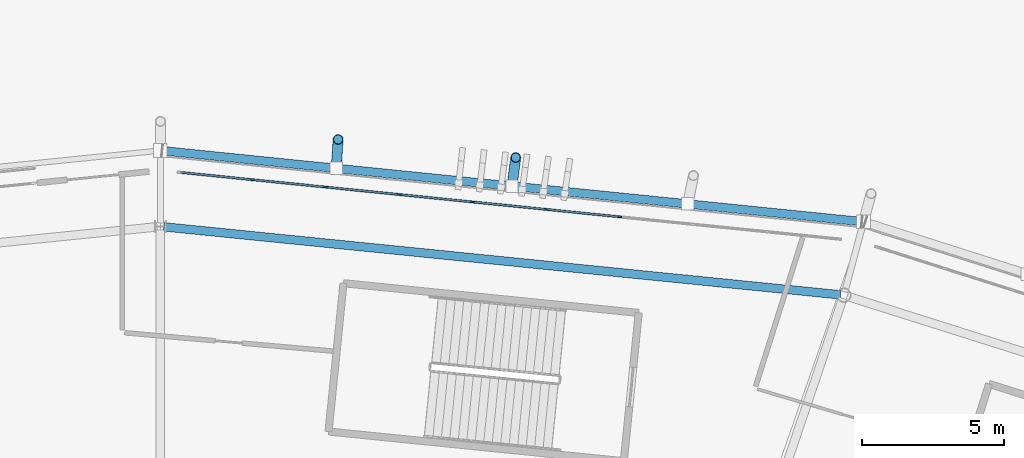
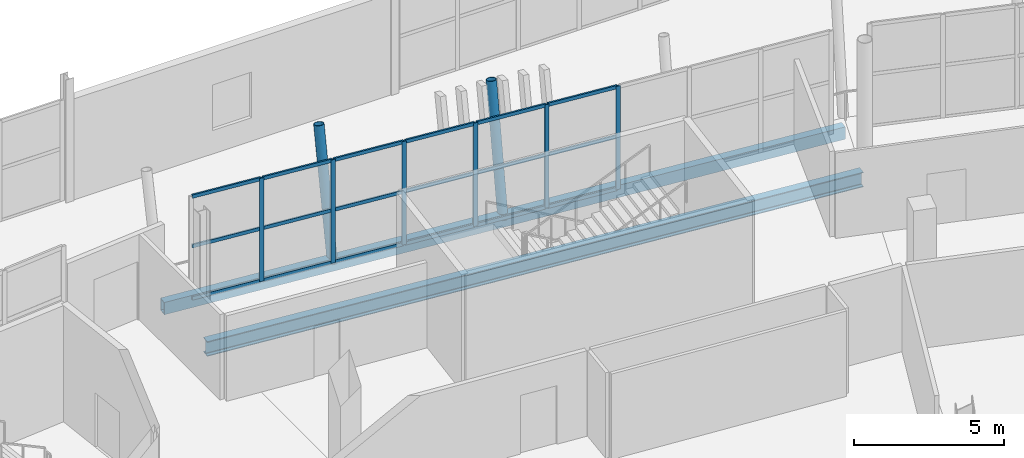
# One storey, part 78 of 179: 26 members, 2 beams, 1 element without a shape of its own.
"""IFC4 building model written with IfcOpenShell, lengths in metres."""

from ifc_helpers import new_model, si_unit, direction, frame, origin, origin_2d, place, context, subcontext, project, spatial, rectangle, hollow_rectangle, hollow_circle, i_section, extrude, material, material_profile, profile_set, type_object, element, aggregate, save


model = new_model("IFC4")

# Units and contexts
model_context = context("Model", 3, precision=1e-05, world=origin(), true_north=direction((0.0, 1.0)))
body_context = subcontext(model_context, "Body", "Model", "MODEL_VIEW")
ifc_project = project(units=[si_unit("LENGTHUNIT", "METRE"), si_unit("AREAUNIT", "SQUARE_METRE"), si_unit("VOLUMEUNIT", "CUBIC_METRE"), si_unit("PLANEANGLEUNIT", "RADIAN"), si_unit("MASSUNIT", "GRAM", prefix="KILO")], contexts=[model_context])

# Site, building, storey
site_placement = place(None, origin())
site = spatial("IfcSite", under=ifc_project, at=site_placement, CompositionType="ELEMENT")
building_placement = place(site_placement, origin())
building = spatial("IfcBuilding", under=site, at=building_placement, Name="Zlatoyarsky Gate Stadium", CompositionType="ELEMENT")
storey_placement = place(building_placement, frame((0.0, 0.0, 10.60009765625)))
storey = spatial("IfcBuildingStorey", under=building, at=storey_placement, Name="L02", CompositionType="ELEMENT", Elevation=10.60009765625)

# Curtain wall, members
ifc_material_1 = material(Name="Thermally broken anodised aluminium curtain wall", Category="aluminium")
curtain_wall_type = type_object("IfcCurtainWallType", Name="UNITISED HOSPITALITY GLAZING L02", PredefinedType="USERDEFINED", material=ifc_material_1)
curtain_wall_placement = place(storey_placement, origin())
curtain_wall = element("IfcCurtainWall", 1, at=curtain_wall_placement, inside=storey, type_object=curtain_wall_type, Name="Curtain wall CW-L02-05", ObjectType="UNITISED GLAZING", PredefinedType="USERDEFINED")
ifc_material_2 = material(Name="Anodised aluminium 6063-T6", Category="aluminium")
ifc_material_profile_1 = material_profile(ifc_material_2, rectangle(XDim=0.06494140625, YDim=0.159912109375, at=origin_2d()), Name="ALU 65X160")
ifc_profile_set_1 = profile_set([ifc_material_profile_1], Name="Anodised aluminium 6063-T6")
member_type_1 = type_object("IfcMemberType", Name="ALUMINIUM MULLION 65X160", PredefinedType="MULLION", material=ifc_profile_set_1)
member_1_placement = place(storey_placement, frame((127.172119140625, 151.340087890625, 0.0), z_axis=(0.0, 0.0, 1.0), x_axis=(-0.100644885375, -0.994922412577, 0.0)))
member_1 = element("IfcMember", 2, at=member_1_placement, type_object=member_type_1, Name="CW-UG2 mullion 4", PredefinedType="MULLION", context=body_context, shape_type="SweptSolid", body=[
    extrude(rectangle(XDim=0.06494140625, YDim=0.159912109375, at=origin_2d()), origin(), (0.0, 0.0, 1.0), 4.199951171875),
])
member_2_placement = place(storey_placement, frame((124.58447265625, 151.601806640625, 0.0), z_axis=(0.0, 0.0, 1.0), x_axis=(-0.100644885375, -0.994922412577, 0.0)))
member_2 = element("IfcMember", 3, at=member_2_placement, type_object=member_type_1, Name="CW-UG2 mullion 5", PredefinedType="MULLION", context=body_context, shape_type="SweptSolid", body=[
    extrude(rectangle(XDim=0.06494140625, YDim=0.159912109375, at=origin_2d()), origin(), (0.0, 0.0, 1.0), 4.199951171875),
])
member_3_placement = place(storey_placement, frame((121.9970703125, 151.863525390625, 0.0), z_axis=(0.0, 0.0, 1.0), x_axis=(-0.100644885375, -0.994922412577, 0.0)))
member_3 = element("IfcMember", 4, at=member_3_placement, type_object=member_type_1, Name="CW-UG2 mullion 6", PredefinedType="MULLION", context=body_context, shape_type="SweptSolid", body=[
    extrude(rectangle(XDim=0.06494140625, YDim=0.159912109375, at=origin_2d()), origin(), (0.0, 0.0, 1.0), 4.199951171875),
])
member_4_placement = place(storey_placement, frame((119.409423828125, 152.125244140625, 0.0), z_axis=(0.0, 0.0, 1.0), x_axis=(-0.100644885375, -0.994922412577, 0.0)))
member_4 = element("IfcMember", 5, at=member_4_placement, type_object=member_type_1, Name="CW-UG2 mullion 7", PredefinedType="MULLION", context=body_context, shape_type="SweptSolid", body=[
    extrude(rectangle(XDim=0.06494140625, YDim=0.159912109375, at=origin_2d()), origin(), (0.0, 0.0, 1.0), 4.199951171875),
])
member_5_placement = place(storey_placement, frame((116.82177734375, 152.386962890625, 0.0), z_axis=(0.0, 0.0, 1.0), x_axis=(-0.100644885375, -0.994922412577, 0.0)))
member_5 = element("IfcMember", 6, at=member_5_placement, type_object=member_type_1, Name="CW-UG2 mullion 8", PredefinedType="MULLION", context=body_context, shape_type="SweptSolid", body=[
    extrude(rectangle(XDim=0.06494140625, YDim=0.159912109375, at=origin_2d()), origin(), (0.0, 0.0, 1.0), 4.199951171875),
])
member_6_placement = place(storey_placement, frame((114.234375, 152.648681640625, 0.0), z_axis=(0.0, 0.0, 1.0), x_axis=(-0.100644885375, -0.994922412577, 0.0)))
member_6 = element("IfcMember", 7, at=member_6_placement, type_object=member_type_1, Name="CW-UG2 mullion 9", PredefinedType="MULLION", context=body_context, shape_type="SweptSolid", body=[
    extrude(rectangle(XDim=0.06494140625, YDim=0.159912109375, at=origin_2d()), origin(), (0.0, 0.0, 1.0), 4.199951171875),
])
ifc_material_profile_2 = material_profile(ifc_material_2, rectangle(XDim=0.06494140625, YDim=0.139892578125, at=origin_2d()), Name="ALU 65X140")
ifc_profile_set_2 = profile_set([ifc_material_profile_2], Name="Anodised aluminium 6063-T6")
member_type_2 = type_object("IfcMemberType", Name="ALUMINIUM TRANSOM 65X140", PredefinedType="USERDEFINED", material=ifc_profile_set_2)
member_7_placement = place(storey_placement, frame((127.139892578125, 151.34326171875, 0.032470703125), z_axis=(-0.994926000307, 0.10060941265, 0.0), x_axis=(-0.10060941265, -0.994926000307, 0.0)))
member_7 = element("IfcMember", 8, at=member_7_placement, type_object=member_type_2, Name="CW-UG2 transom 4.1", ObjectType="TRANSOM", PredefinedType="USERDEFINED", context=body_context, shape_type="SweptSolid", body=[
    extrude(rectangle(XDim=0.06494140625, YDim=0.139892578125, at=origin_2d()), origin(), (0.0, 0.0, 1.0), 2.535888671875),
])
member_8_placement = place(storey_placement, frame((127.139892578125, 151.34326171875, 2.14990234375), z_axis=(-0.994926000307, 0.10060941265, 0.0), x_axis=(-0.10060941265, -0.994926000307, 0.0)))
member_8 = element("IfcMember", 9, at=member_8_placement, type_object=member_type_2, Name="CW-UG2 transom 4.2", ObjectType="TRANSOM", PredefinedType="USERDEFINED", context=body_context, shape_type="SweptSolid", body=[
    extrude(rectangle(XDim=0.06494140625, YDim=0.139892578125, at=origin_2d()), origin(), (0.0, 0.0, 1.0), 2.535888671875),
])
member_9_placement = place(storey_placement, frame((127.139892578125, 151.34326171875, 4.16748046875), z_axis=(-0.994926000307, 0.10060941265, 0.0), x_axis=(-0.10060941265, -0.994926000307, 0.0)))
member_9 = element("IfcMember", 10, at=member_9_placement, type_object=member_type_2, Name="CW-UG2 transom 4.3", ObjectType="TRANSOM", PredefinedType="USERDEFINED", context=body_context, shape_type="SweptSolid", body=[
    extrude(rectangle(XDim=0.06494140625, YDim=0.139892578125, at=origin_2d()), origin(), (0.0, 0.0, 1.0), 2.535888671875),
])
member_10_placement = place(storey_placement, frame((124.55224609375, 151.60498046875, 0.032470703125), z_axis=(-0.994926000307, 0.10060941265, 0.0), x_axis=(-0.10060941265, -0.994926000307, 0.0)))
member_10 = element("IfcMember", 11, at=member_10_placement, type_object=member_type_2, Name="CW-UG2 transom 5.1", ObjectType="TRANSOM", PredefinedType="USERDEFINED", context=body_context, shape_type="SweptSolid", body=[
    extrude(rectangle(XDim=0.06494140625, YDim=0.139892578125, at=origin_2d()), origin(), (0.0, 0.0, 1.0), 2.535888671875),
])
member_11_placement = place(storey_placement, frame((124.55224609375, 151.60498046875, 2.14990234375), z_axis=(-0.994926000307, 0.10060941265, 0.0), x_axis=(-0.10060941265, -0.994926000307, 0.0)))
member_11 = element("IfcMember", 12, at=member_11_placement, type_object=member_type_2, Name="CW-UG2 transom 5.2", ObjectType="TRANSOM", PredefinedType="USERDEFINED", context=body_context, shape_type="SweptSolid", body=[
    extrude(rectangle(XDim=0.06494140625, YDim=0.139892578125, at=origin_2d()), origin(), (0.0, 0.0, 1.0), 2.535888671875),
])
member_12_placement = place(storey_placement, frame((124.55224609375, 151.60498046875, 4.16748046875), z_axis=(-0.994926000307, 0.10060941265, 0.0), x_axis=(-0.10060941265, -0.994926000307, 0.0)))
member_12 = element("IfcMember", 13, at=member_12_placement, type_object=member_type_2, Name="CW-UG2 transom 5.3", ObjectType="TRANSOM", PredefinedType="USERDEFINED", context=body_context, shape_type="SweptSolid", body=[
    extrude(rectangle(XDim=0.06494140625, YDim=0.139892578125, at=origin_2d()), origin(), (0.0, 0.0, 1.0), 2.535888671875),
])
member_13_placement = place(storey_placement, frame((121.964599609375, 151.86669921875, 0.032470703125), z_axis=(-0.994916358617, 0.100704713675, 0.0), x_axis=(-0.100704713675, -0.994916358617, 0.0)))
member_13 = element("IfcMember", 14, at=member_13_placement, type_object=member_type_2, Name="CW-UG2 transom 6.1", ObjectType="TRANSOM", PredefinedType="USERDEFINED", context=body_context, shape_type="SweptSolid", body=[
    extrude(rectangle(XDim=0.06494140625, YDim=0.139892578125, at=origin_2d()), origin(), (0.0, 0.0, 1.0), 2.535888671875),
])
member_14_placement = place(storey_placement, frame((121.964599609375, 151.86669921875, 2.14990234375), z_axis=(-0.994916358617, 0.100704713675, 0.0), x_axis=(-0.100704713675, -0.994916358617, 0.0)))
member_14 = element("IfcMember", 15, at=member_14_placement, type_object=member_type_2, Name="CW-UG2 transom 6.2", ObjectType="TRANSOM", PredefinedType="USERDEFINED", context=body_context, shape_type="SweptSolid", body=[
    extrude(rectangle(XDim=0.06494140625, YDim=0.139892578125, at=origin_2d()), origin(), (0.0, 0.0, 1.0), 2.535888671875),
])
member_15_placement = place(storey_placement, frame((121.964599609375, 151.86669921875, 4.16748046875), z_axis=(-0.994916358617, 0.100704713675, 0.0), x_axis=(-0.100704713675, -0.994916358617, 0.0)))
member_15 = element("IfcMember", 16, at=member_15_placement, type_object=member_type_2, Name="CW-UG2 transom 6.3", ObjectType="TRANSOM", PredefinedType="USERDEFINED", context=body_context, shape_type="SweptSolid", body=[
    extrude(rectangle(XDim=0.06494140625, YDim=0.139892578125, at=origin_2d()), origin(), (0.0, 0.0, 1.0), 2.535888671875),
])
member_16_placement = place(storey_placement, frame((119.377197265625, 152.12841796875, 0.032470703125), z_axis=(-0.994916358617, 0.100704713675, 0.0), x_axis=(-0.100704713675, -0.994916358617, 0.0)))
member_16 = element("IfcMember", 17, at=member_16_placement, type_object=member_type_2, Name="CW-UG2 transom 7.1", ObjectType="TRANSOM", PredefinedType="USERDEFINED", context=body_context, shape_type="SweptSolid", body=[
    extrude(rectangle(XDim=0.06494140625, YDim=0.139892578125, at=origin_2d()), origin(), (0.0, 0.0, 1.0), 2.535888671875),
])
member_17_placement = place(storey_placement, frame((119.377197265625, 152.12841796875, 2.14990234375), z_axis=(-0.994916358617, 0.100704713675, 0.0), x_axis=(-0.100704713675, -0.994916358617, 0.0)))
member_17 = element("IfcMember", 18, at=member_17_placement, type_object=member_type_2, Name="CW-UG2 transom 7.2", ObjectType="TRANSOM", PredefinedType="USERDEFINED", context=body_context, shape_type="SweptSolid", body=[
    extrude(rectangle(XDim=0.06494140625, YDim=0.139892578125, at=origin_2d()), origin(), (0.0, 0.0, 1.0), 2.535888671875),
])
member_18_placement = place(storey_placement, frame((119.377197265625, 152.12841796875, 4.16748046875), z_axis=(-0.994916358617, 0.100704713675, 0.0), x_axis=(-0.100704713675, -0.994916358617, 0.0)))
member_18 = element("IfcMember", 19, at=member_18_placement, type_object=member_type_2, Name="CW-UG2 transom 7.3", ObjectType="TRANSOM", PredefinedType="USERDEFINED", context=body_context, shape_type="SweptSolid", body=[
    extrude(rectangle(XDim=0.06494140625, YDim=0.139892578125, at=origin_2d()), origin(), (0.0, 0.0, 1.0), 2.535888671875),
])
member_19_placement = place(storey_placement, frame((116.78955078125, 152.390380859375, 0.032470703125), z_axis=(-0.994926000307, 0.10060941265, 0.0), x_axis=(-0.10060941265, -0.994926000307, 0.0)))
member_19 = element("IfcMember", 20, at=member_19_placement, type_object=member_type_2, Name="CW-UG2 transom 8.1", ObjectType="TRANSOM", PredefinedType="USERDEFINED", context=body_context, shape_type="SweptSolid", body=[
    extrude(rectangle(XDim=0.06494140625, YDim=0.139892578125, at=origin_2d()), origin(), (0.0, 0.0, 1.0), 2.535888671875),
])
member_20_placement = place(storey_placement, frame((116.78955078125, 152.390380859375, 2.14990234375), z_axis=(-0.994926000307, 0.10060941265, 0.0), x_axis=(-0.10060941265, -0.994926000307, 0.0)))
member_20 = element("IfcMember", 21, at=member_20_placement, type_object=member_type_2, Name="CW-UG2 transom 8.2", ObjectType="TRANSOM", PredefinedType="USERDEFINED", context=body_context, shape_type="SweptSolid", body=[
    extrude(rectangle(XDim=0.06494140625, YDim=0.139892578125, at=origin_2d()), origin(), (0.0, 0.0, 1.0), 2.535888671875),
])
member_21_placement = place(storey_placement, frame((116.78955078125, 152.390380859375, 4.16748046875), z_axis=(-0.994926000307, 0.10060941265, 0.0), x_axis=(-0.10060941265, -0.994926000307, 0.0)))
member_21 = element("IfcMember", 22, at=member_21_placement, type_object=member_type_2, Name="CW-UG2 transom 8.3", ObjectType="TRANSOM", PredefinedType="USERDEFINED", context=body_context, shape_type="SweptSolid", body=[
    extrude(rectangle(XDim=0.06494140625, YDim=0.139892578125, at=origin_2d()), origin(), (0.0, 0.0, 1.0), 2.535888671875),
])
member_22_placement = place(storey_placement, frame((114.201904296875, 152.652099609375, 0.032470703125), z_axis=(-0.994921612986, 0.100652789393, 0.0), x_axis=(-0.100652789393, -0.994921612986, 0.0)))
member_22 = element("IfcMember", 23, at=member_22_placement, type_object=member_type_2, Name="CW-UG2 transom 9.1", ObjectType="TRANSOM", PredefinedType="USERDEFINED", context=body_context, shape_type="SweptSolid", body=[
    extrude(rectangle(XDim=0.06494140625, YDim=0.139892578125, at=origin_2d()), origin(), (0.0, 0.0, 1.0), 2.503173828125),
])
member_23_placement = place(storey_placement, frame((114.201904296875, 152.652099609375, 2.14990234375), z_axis=(-0.994921612986, 0.100652789393, 0.0), x_axis=(-0.100652789393, -0.994921612986, 0.0)))
member_23 = element("IfcMember", 24, at=member_23_placement, type_object=member_type_2, Name="CW-UG2 transom 9.2", ObjectType="TRANSOM", PredefinedType="USERDEFINED", context=body_context, shape_type="SweptSolid", body=[
    extrude(rectangle(XDim=0.06494140625, YDim=0.139892578125, at=origin_2d()), origin(), (0.0, 0.0, 1.0), 2.503173828125),
])
member_24_placement = place(storey_placement, frame((114.201904296875, 152.652099609375, 4.16748046875), z_axis=(-0.994921612986, 0.100652789393, 0.0), x_axis=(-0.100652789393, -0.994921612986, 0.0)))
member_24 = element("IfcMember", 25, at=member_24_placement, type_object=member_type_2, Name="CW-UG2 transom 9.3", ObjectType="TRANSOM", PredefinedType="USERDEFINED", context=body_context, shape_type="SweptSolid", body=[
    extrude(rectangle(XDim=0.06494140625, YDim=0.139892578125, at=origin_2d()), origin(), (0.0, 0.0, 1.0), 2.503173828125),
])
aggregate(curtain_wall, [member_1, member_2, member_3, member_4, member_5, member_6, member_7, member_8, member_9, member_10, member_11, member_12, member_13, member_14, member_15, member_16, member_17, member_18, member_19, member_20, member_21, member_22, member_23, member_24])

# Members
ifc_material_3 = material(Name="Steel S355", Category="steel")
ifc_material_profile_3 = material_profile(ifc_material_3, hollow_circle(Radius=0.177734375, WallThickness=0.02001953125, at=origin_2d()), Name="CHS 355.6X20")
ifc_profile_set_3 = profile_set([ifc_material_profile_3], Name="Steel S355")
member_type_3 = type_object("IfcMemberType", Name="STEEL LEANING RIB RING STRUT CHS 355.6X20", PredefinedType="STRUT", material=ifc_profile_set_3)
member_25_placement = place(storey_placement, frame((123.38134765625, 152.420654296875, -0.530029296875), z_axis=(0.026029013231, 0.197705666672, 0.979915792217), x_axis=(-0.991444492486, 0.13052899417, 0.0)))
element("IfcMember", 26, at=member_25_placement, inside=storey, type_object=member_type_3, Name="Outward-leaning bowl louvre fin rib L02 05-2", PredefinedType="STRUT", context=body_context, shape_type="SweptSolid", body=[
    extrude(hollow_circle(Radius=0.177734375, WallThickness=0.02001953125, at=origin_2d()), origin(), (0.0, 0.0, 1.0), 5.1025390625),
])
member_26_placement = place(storey_placement, frame((117.190673828125, 153.04833984375, -0.530029296875), z_axis=(0.013013361918, 0.1994106341, 0.979829603257), x_axis=(-0.997877401135, 0.065120598155, 0.0)))
element("IfcMember", 27, at=member_26_placement, inside=storey, type_object=member_type_3, Name="Outward-leaning bowl louvre fin rib L02 05-3", PredefinedType="STRUT", context=body_context, shape_type="SweptSolid", body=[
    extrude(hollow_circle(Radius=0.177734375, WallThickness=0.02001953125, at=origin_2d()), origin(), (0.0, 0.0, 1.0), 5.10302734375),
])

# Beams
ifc_material_profile_4 = material_profile(ifc_material_3, hollow_rectangle(XDim=0.300048828125, YDim=0.5, WallThickness=0.02001953125, at=origin_2d()), Name="RHS 500X300X20")
ifc_profile_set_4 = profile_set([ifc_material_profile_4], Name="Steel S355")
beam_type_1 = type_object("IfcBeamType", Name="STEEL LOUVRE CARRIER SPANDREL RHS 500X300X20", PredefinedType="SPANDREL", material=ifc_profile_set_4)
beam_1_placement = place(storey_placement, frame((135.742919921875, 151.16748046875, -0.530029296875), z_axis=(-0.994900567016, 0.10086060555, 0.0), x_axis=(-0.10086060555, -0.994900567016, 0.0)))
element("IfcBeam", 28, at=beam_1_placement, inside=storey, type_object=beam_type_1, Name="Beam SP-RHS500 BM-L02-SPD-05", PredefinedType="SPANDREL", context=body_context, shape_type="SweptSolid", body=[
    extrude(hollow_rectangle(XDim=0.300048828125, YDim=0.5, WallThickness=0.02001953125, at=origin_2d()), origin(), (0.0, 0.0, 1.0), 24.849609375),
])
ifc_material_profile_5 = material_profile(ifc_material_3, i_section(OverallWidth=0.300048828125, OverallDepth=0.60009765625, WebThickness=0.015380859375, FlangeThickness=0.030029296875, FilletRadius=0.027099609375, at=origin_2d()), Name="HEB 600")
ifc_profile_set_5 = profile_set([ifc_material_profile_5], Name="Steel S355")
beam_type_2 = type_object("IfcBeamType", Name="STEEL PRIMARY GIRDER HEB 600", PredefinedType="BEAM", material=ifc_profile_set_5)
beam_2_placement = place(storey_placement, frame((134.95068359375, 148.5927734375, -0.580078125), z_axis=(-0.994986905268, 0.100005291586, 0.0), x_axis=(-0.100005291586, -0.994986905268, 0.0)))
element("IfcBeam", 29, at=beam_2_placement, inside=storey, type_object=beam_type_2, Name="Beam G-HEB600 BM-L02-CRC-05", PredefinedType="BEAM", context=body_context, shape_type="SweptSolid", body=[
    extrude(i_section(OverallWidth=0.300048828125, OverallDepth=0.60009765625, WebThickness=0.015380859375, FlangeThickness=0.030029296875, FilletRadius=0.027099609375, at=origin_2d()), origin(), (0.0, 0.0, 1.0), 23.951416015625),
])

save(model, "model.ifc")
